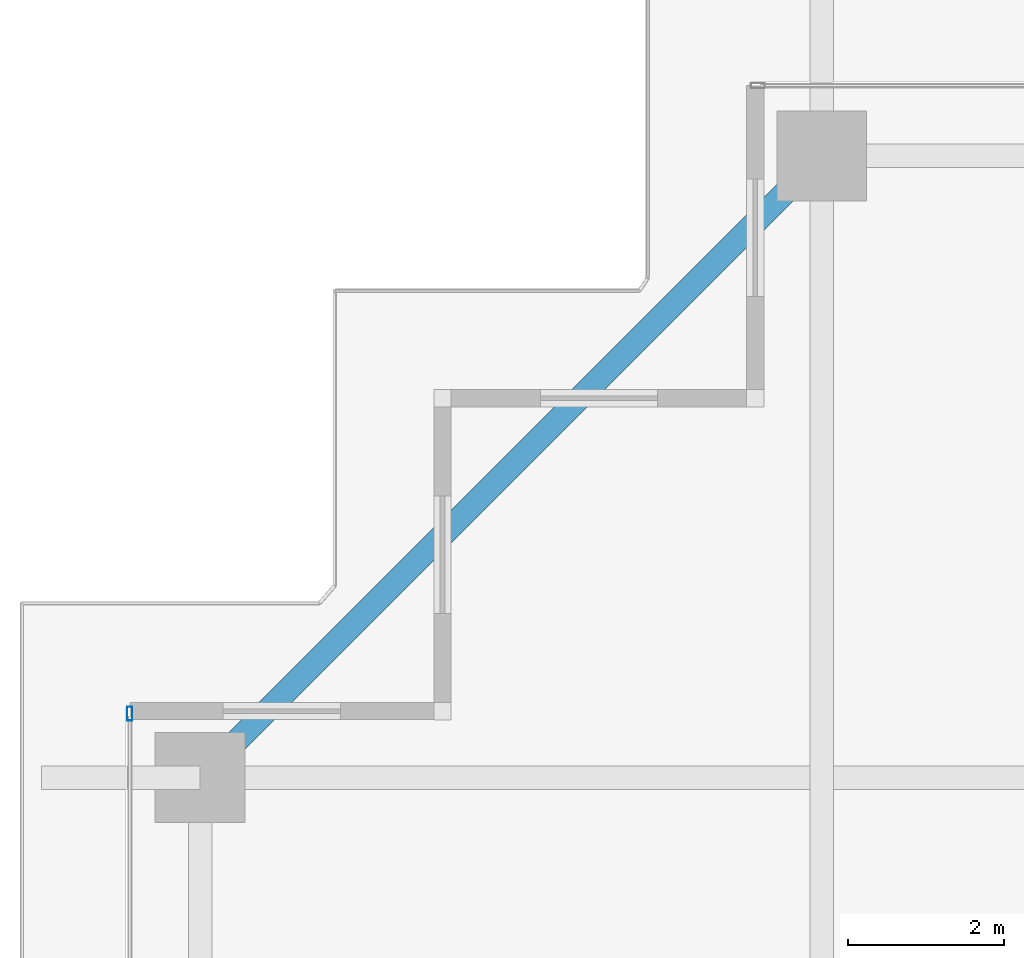
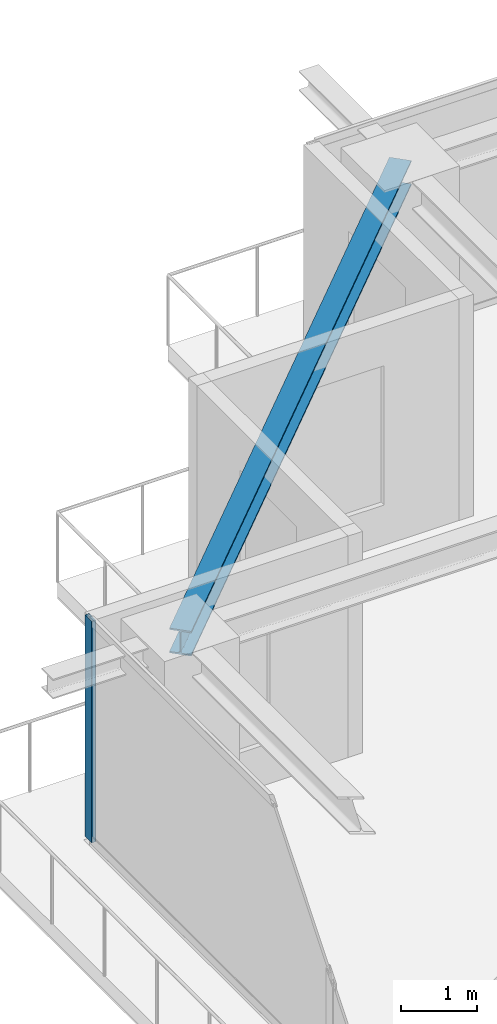
# One storey, part 18 of 37: 1 beam, 1 member, 1 element without a shape of its own.
"""IFC4 building model written with IfcOpenShell, lengths in metres."""

from ifc_helpers import new_model, si_unit, direction, frame, origin, origin_2d, place, context, subcontext, project, spatial, hollow_rectangle, i_section, extrude, source, transform, mapped, material, layer, layer_set, material_profile, profile_set, type_object, element, aggregate, save


model = new_model("IFC4")

# Units and contexts
model_context = context("Model", 3, precision=1e-05, world=origin(), true_north=direction((0.0, 1.0)))
body_context = subcontext(model_context, "Body", "Model", "MODEL_VIEW")
ifc_project = project(units=[si_unit("LENGTHUNIT", "METRE"), si_unit("AREAUNIT", "SQUARE_METRE"), si_unit("VOLUMEUNIT", "CUBIC_METRE"), si_unit("PLANEANGLEUNIT", "RADIAN"), si_unit("MASSUNIT", "GRAM", prefix="KILO")], contexts=[model_context])

# Site, building, storey
site_placement = place(None, origin())
site = spatial("IfcSite", under=ifc_project, at=site_placement, CompositionType="ELEMENT")
building_placement = place(site_placement, origin())
building = spatial("IfcBuilding", under=site, at=building_placement, Name="Serunith Strait Residences", CompositionType="ELEMENT")
storey_placement = place(building_placement, frame((0.0, 0.0, 260.5)))
storey = spatial("IfcBuildingStorey", under=building, at=storey_placement, Name="L65", CompositionType="ELEMENT", Elevation=260.5)

# Beam
ifc_material_1 = material(Name="Steel S355J2", Category="steel")
ifc_material_profile_1 = material_profile(ifc_material_1, i_section(OverallWidth=0.300048828125, OverallDepth=0.39990234375, WebThickness=0.013427734375, FlangeThickness=0.02392578125, FilletRadius=0.027099609375, at=origin_2d()), Name="HEB 400")
ifc_profile_set_1 = profile_set([ifc_material_profile_1], Name="Steel S355J2")
beam_type = type_object("IfcBeamType", Name="BM-HEB400", PredefinedType="BEAM", material=ifc_profile_set_1)
shared_shape_1 = source(origin(), body_context, "Body", "SweptSolid", [
    extrude(i_section(OverallWidth=0.300048828125, OverallDepth=0.39990234375, WebThickness=0.013427734375, FlangeThickness=0.02392578125, FilletRadius=0.027099609375, at=origin_2d()), origin(), (0.0, 0.0, 1.0), 11.242919921875),
])
beam_placement = place(storey_placement, frame((16.25, 48.300048828125, 3.35693359375), z_axis=(-0.707106781187, -0.707106781187, 0.0), x_axis=(0.707106781187, -0.707106781187, 0.0)))
element("IfcBeam", 1, at=beam_placement, inside=storey, type_object=beam_type, Name="L65 Perimeter Ring Beam 12", PredefinedType="BEAM", context=body_context, shape_type="MappedRepresentation", body=[
    mapped(shared_shape_1, transform((0.0, 0.0, 0.0), scale=1.0)),
])

# Curtain wall, member
ifc_material_2 = material(Name="Pale-Champagne Anodised Aluminium", Category="aluminium")
ifc_layer = layer(ifc_material_2, 0.199951171875, Name="Pale-Champagne Anodised Aluminium")
ifc_layer_set = layer_set([ifc_layer], Name="Pale-Champagne Anodised Aluminium")
curtain_wall_type = type_object("IfcCurtainWallType", Name="CW-SYS4", PredefinedType="NOTDEFINED", material=ifc_layer_set)
curtain_wall_placement = place(storey_placement, origin())
curtain_wall = element("IfcCurtainWall", 2, at=curtain_wall_placement, inside=storey, type_object=curtain_wall_type, Name="L65 W Unitised Fritted Curtain Wall", PredefinedType="NOTDEFINED")
ifc_material_profile_2 = material_profile(ifc_material_2, hollow_rectangle(XDim=0.06494140625, YDim=0.179931640625, WallThickness=0.00341796875, InnerFilletRadius=0.00537109375, OuterFilletRadius=0.0087890625, at=origin_2d()), Name="ALU 180x65x3.5")
ifc_profile_set_2 = profile_set([ifc_material_profile_2], Name="Pale-Champagne Anodised Aluminium")
member_type = type_object("IfcMemberType", Name="CW-SYS4-MULL", PredefinedType="MULLION", material=ifc_profile_set_2)
shared_shape_2 = source(origin(), body_context, "Body", "SweptSolid", [
    extrude(hollow_rectangle(XDim=0.06494140625, YDim=0.179931640625, WallThickness=0.00341796875, InnerFilletRadius=0.00537109375, OuterFilletRadius=0.0087890625, at=origin_2d()), origin(), (0.0, 0.0, 1.0), 3.574951171875),
])
member_placement = place(storey_placement, frame((7.39990234375, 41.16748046875, 0.0), z_axis=(0.0, 0.0, 1.0), x_axis=(1.0, 0.0, 0.0)))
member = element("IfcMember", 3, at=member_placement, type_object=member_type, Name="CW-4 mullion 1", PredefinedType="MULLION", context=body_context, shape_type="MappedRepresentation", body=[
    mapped(shared_shape_2, transform((0.0, 0.0, 0.0), scale=1.0)),
])
aggregate(curtain_wall, [member])

save(model, "model.ifc")
